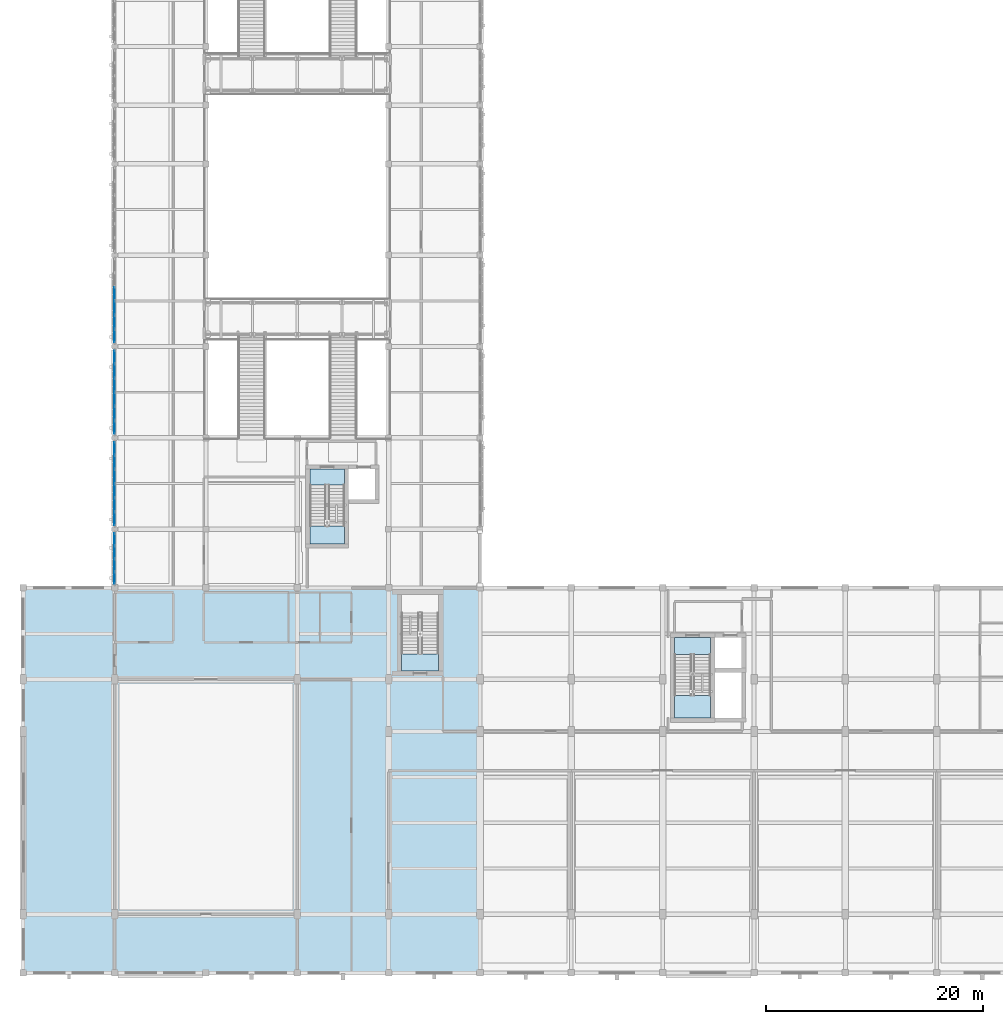
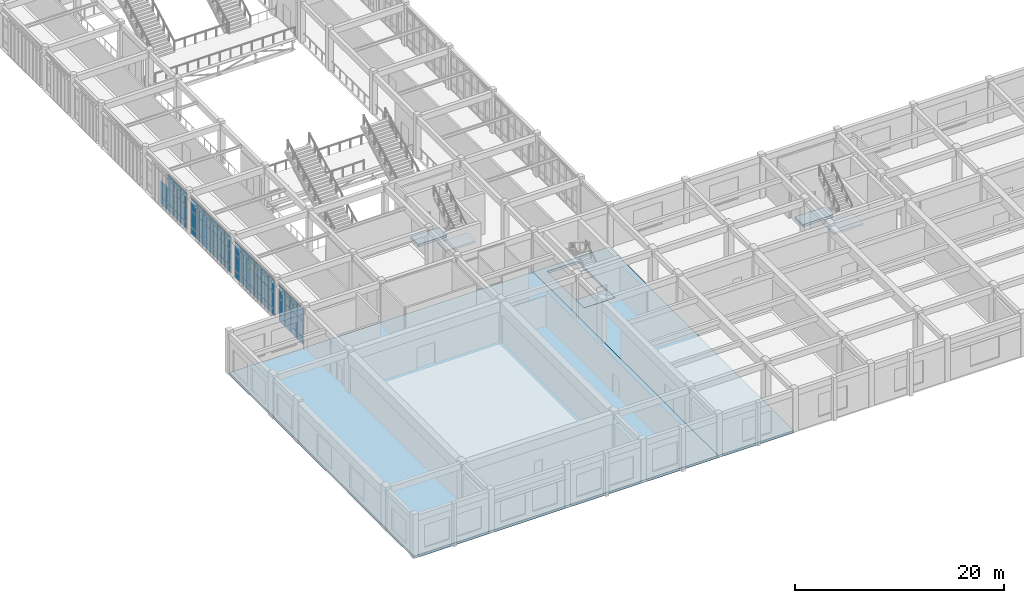
# One storey, part 55 of 93: 59 plates, 7 slabs, 6 elements without a shape of their own.
"""IFC4 building model written with IfcOpenShell, lengths in metres."""

from ifc_helpers import new_model, si_unit, direction, frame, origin, origin_2d, place, context, subcontext, project, spatial, polyline, rectangle, outline, extrude, material, layer, layer_set, type_object, element, aggregate, save


model = new_model("IFC4")

# Units and contexts
model_context = context("Model", 3, precision=1e-05, world=origin(), true_north=direction((0.0, 1.0)))
body_context = subcontext(model_context, "Body", "Model", "MODEL_VIEW")
ifc_project = project(units=[si_unit("LENGTHUNIT", "METRE"), si_unit("AREAUNIT", "SQUARE_METRE"), si_unit("VOLUMEUNIT", "CUBIC_METRE"), si_unit("PLANEANGLEUNIT", "RADIAN"), si_unit("MASSUNIT", "GRAM", prefix="KILO")], contexts=[model_context])

# Site, building, storey
site_placement = place(None, origin())
site = spatial("IfcSite", under=ifc_project, at=site_placement, CompositionType="ELEMENT")
building_placement = place(site_placement, origin())
building = spatial("IfcBuilding", under=site, at=building_placement, Name="Krzemoval Escarpment Law Courts", CompositionType="ELEMENT")
storey_placement = place(building_placement, frame((0.0, 0.0, 10.199951171875)))
storey = spatial("IfcBuildingStorey", under=building, at=storey_placement, Name="L02", CompositionType="ELEMENT", Elevation=10.199951171875)

# Curtain wall, plates
ifc_material_1 = material(Name="Aluminium 6063-T6", Category="aluminium")
ifc_layer_1 = layer(ifc_material_1, 0.280029296875)
ifc_layer_set_1 = layer_set([ifc_layer_1], Name="Aluminium 6063-T6")
curtain_wall_type = type_object("IfcCurtainWallType", Name="CW-HALL-5100", PredefinedType="USERDEFINED", material=ifc_layer_set_1)
curtain_wall_1_placement = place(storey_placement, origin())
curtain_wall_1 = element("IfcCurtainWall", 1, at=curtain_wall_1_placement, inside=storey, type_object=curtain_wall_type, Name="Unitised Curtain Wall FCW-L02-064", ObjectType="UNITISED_CURTAIN_WALL", PredefinedType="USERDEFINED")
ifc_material_2 = material(Name="Triple Glazing IGU", Category="glass")
ifc_layer_2 = layer(ifc_material_2, 0.053955078125)
ifc_layer_set_2 = layer_set([ifc_layer_2], Name="Triple Glazing IGU")
plate_type = type_object("IfcPlateType", Name="CWP-GLZ-54", PredefinedType="CURTAIN_PANEL", material=ifc_layer_set_2)
plate_1_placement = place(storey_placement, frame((8.39990234375, 36.3212890625, 0.0849609375), z_axis=(0.0, 0.0, 1.0), x_axis=(0.0, 1.0, 0.0)))
plate_1 = element("IfcPlate", 2, at=plate_1_placement, type_object=plate_type, Name="FCW-L02-064 panel 1.1", PredefinedType="CURTAIN_PANEL", context=body_context, shape_type="SweptSolid", body=[
    extrude(rectangle(XDim=1.072509765625, YDim=0.053955078125, at=origin_2d()), origin(), (0.0, 0.0, 1.0), 0.7724609375),
])
plate_2_placement = place(storey_placement, frame((8.39990234375, 36.3212890625, 0.942626953125), z_axis=(0.0, 0.0, 1.0), x_axis=(0.0, 1.0, 0.0)))
plate_2 = element("IfcPlate", 3, at=plate_2_placement, type_object=plate_type, Name="FCW-L02-064 panel 1.2", PredefinedType="CURTAIN_PANEL", context=body_context, shape_type="SweptSolid", body=[
    extrude(rectangle(XDim=1.072509765625, YDim=0.053955078125, at=origin_2d()), origin(), (0.0, 0.0, 1.0), 1.81494140625),
])
plate_3_placement = place(storey_placement, frame((8.39990234375, 36.3212890625, 2.842529296875), z_axis=(0.0, 0.0, 1.0), x_axis=(0.0, 1.0, 0.0)))
plate_3 = element("IfcPlate", 4, at=plate_3_placement, type_object=plate_type, Name="FCW-L02-064 panel 1.3", PredefinedType="CURTAIN_PANEL", context=body_context, shape_type="SweptSolid", body=[
    extrude(rectangle(XDim=1.072509765625, YDim=0.053955078125, at=origin_2d()), origin(), (0.0, 0.0, 1.0), 1.4423828125),
])
plate_4_placement = place(storey_placement, frame((8.39990234375, 37.5, 0.0849609375), z_axis=(0.0, 0.0, 1.0), x_axis=(0.0, 1.0, 0.0)))
plate_4 = element("IfcPlate", 5, at=plate_4_placement, type_object=plate_type, Name="FCW-L02-064 panel 2.1", PredefinedType="CURTAIN_PANEL", context=body_context, shape_type="SweptSolid", body=[
    extrude(rectangle(XDim=1.114990234375, YDim=0.053955078125, at=origin_2d()), origin(), (0.0, 0.0, 1.0), 0.7724609375),
])
plate_5_placement = place(storey_placement, frame((8.39990234375, 37.5, 0.942626953125), z_axis=(0.0, 0.0, 1.0), x_axis=(0.0, 1.0, 0.0)))
plate_5 = element("IfcPlate", 6, at=plate_5_placement, type_object=plate_type, Name="FCW-L02-064 panel 2.2", PredefinedType="CURTAIN_PANEL", context=body_context, shape_type="SweptSolid", body=[
    extrude(rectangle(XDim=1.114990234375, YDim=0.053955078125, at=origin_2d()), origin(), (0.0, 0.0, 1.0), 1.81494140625),
])
plate_6_placement = place(storey_placement, frame((8.39990234375, 37.5, 2.842529296875), z_axis=(0.0, 0.0, 1.0), x_axis=(0.0, 1.0, 0.0)))
plate_6 = element("IfcPlate", 7, at=plate_6_placement, type_object=plate_type, Name="FCW-L02-064 panel 2.3", PredefinedType="CURTAIN_PANEL", context=body_context, shape_type="SweptSolid", body=[
    extrude(rectangle(XDim=1.114990234375, YDim=0.053955078125, at=origin_2d()), origin(), (0.0, 0.0, 1.0), 1.4423828125),
])
plate_7_placement = place(storey_placement, frame((8.39990234375, 38.699951171875, 0.0849609375), z_axis=(0.0, 0.0, 1.0), x_axis=(0.0, 1.0, 0.0)))
plate_7 = element("IfcPlate", 8, at=plate_7_placement, type_object=plate_type, Name="FCW-L02-064 panel 3.1", PredefinedType="CURTAIN_PANEL", context=body_context, shape_type="SweptSolid", body=[
    extrude(rectangle(XDim=1.114990234375, YDim=0.053955078125, at=origin_2d()), origin(), (0.0, 0.0, 1.0), 0.7724609375),
])
plate_8_placement = place(storey_placement, frame((8.39990234375, 38.699951171875, 0.942626953125), z_axis=(0.0, 0.0, 1.0), x_axis=(0.0, 1.0, 0.0)))
plate_8 = element("IfcPlate", 9, at=plate_8_placement, type_object=plate_type, Name="FCW-L02-064 panel 3.2", PredefinedType="CURTAIN_PANEL", context=body_context, shape_type="SweptSolid", body=[
    extrude(rectangle(XDim=1.114990234375, YDim=0.053955078125, at=origin_2d()), origin(), (0.0, 0.0, 1.0), 1.81494140625),
])
plate_9_placement = place(storey_placement, frame((8.39990234375, 38.699951171875, 2.842529296875), z_axis=(0.0, 0.0, 1.0), x_axis=(0.0, 1.0, 0.0)))
plate_9 = element("IfcPlate", 10, at=plate_9_placement, type_object=plate_type, Name="FCW-L02-064 panel 3.3", PredefinedType="CURTAIN_PANEL", context=body_context, shape_type="SweptSolid", body=[
    extrude(rectangle(XDim=1.114990234375, YDim=0.053955078125, at=origin_2d()), origin(), (0.0, 0.0, 1.0), 1.4423828125),
])
plate_10_placement = place(storey_placement, frame((8.39990234375, 39.878662109375, 0.0849609375), z_axis=(0.0, 0.0, 1.0), x_axis=(0.0, 1.0, 0.0)))
plate_10 = element("IfcPlate", 11, at=plate_10_placement, type_object=plate_type, Name="FCW-L02-064 panel 4.1", PredefinedType="CURTAIN_PANEL", context=body_context, shape_type="SweptSolid", body=[
    extrude(rectangle(XDim=1.072509765625, YDim=0.053955078125, at=origin_2d()), origin(), (0.0, 0.0, 1.0), 0.7724609375),
])
plate_11_placement = place(storey_placement, frame((8.39990234375, 39.878662109375, 0.942626953125), z_axis=(0.0, 0.0, 1.0), x_axis=(0.0, 1.0, 0.0)))
plate_11 = element("IfcPlate", 12, at=plate_11_placement, type_object=plate_type, Name="FCW-L02-064 panel 4.2", PredefinedType="CURTAIN_PANEL", context=body_context, shape_type="SweptSolid", body=[
    extrude(rectangle(XDim=1.072509765625, YDim=0.053955078125, at=origin_2d()), origin(), (0.0, 0.0, 1.0), 1.81494140625),
])
plate_12_placement = place(storey_placement, frame((8.39990234375, 39.878662109375, 2.842529296875), z_axis=(0.0, 0.0, 1.0), x_axis=(0.0, 1.0, 0.0)))
plate_12 = element("IfcPlate", 13, at=plate_12_placement, type_object=plate_type, Name="FCW-L02-064 panel 4.3", PredefinedType="CURTAIN_PANEL", context=body_context, shape_type="SweptSolid", body=[
    extrude(rectangle(XDim=1.072509765625, YDim=0.053955078125, at=origin_2d()), origin(), (0.0, 0.0, 1.0), 1.4423828125),
])
aggregate(curtain_wall_1, [plate_1, plate_2, plate_3, plate_4, plate_5, plate_6, plate_7, plate_8, plate_9, plate_10, plate_11, plate_12])

curtain_wall_2_placement = place(storey_placement, origin())
curtain_wall_2 = element("IfcCurtainWall", 14, at=curtain_wall_2_placement, inside=storey, type_object=curtain_wall_type, Name="Unitised Curtain Wall FCW-L02-065", ObjectType="UNITISED_CURTAIN_WALL", PredefinedType="USERDEFINED")
plate_13_placement = place(storey_placement, frame((8.39990234375, 41.771240234375, 0.0849609375), z_axis=(0.0, 0.0, 1.0), x_axis=(0.0, 1.0, 0.0)))
plate_13 = element("IfcPlate", 15, at=plate_13_placement, type_object=plate_type, Name="FCW-L02-065 panel 1.1", PredefinedType="CURTAIN_PANEL", context=body_context, shape_type="SweptSolid", body=[
    extrude(rectangle(XDim=1.172607421875, YDim=0.053955078125, at=origin_2d()), origin(), (0.0, 0.0, 1.0), 0.7724609375),
])
plate_14_placement = place(storey_placement, frame((8.39990234375, 41.771240234375, 0.942626953125), z_axis=(0.0, 0.0, 1.0), x_axis=(0.0, 1.0, 0.0)))
plate_14 = element("IfcPlate", 16, at=plate_14_placement, type_object=plate_type, Name="FCW-L02-065 panel 1.2", PredefinedType="CURTAIN_PANEL", context=body_context, shape_type="SweptSolid", body=[
    extrude(rectangle(XDim=1.172607421875, YDim=0.053955078125, at=origin_2d()), origin(), (0.0, 0.0, 1.0), 1.81494140625),
])
plate_15_placement = place(storey_placement, frame((8.39990234375, 41.771240234375, 2.842529296875), z_axis=(0.0, 0.0, 1.0), x_axis=(0.0, 1.0, 0.0)))
plate_15 = element("IfcPlate", 17, at=plate_15_placement, type_object=plate_type, Name="FCW-L02-065 panel 1.3", PredefinedType="CURTAIN_PANEL", context=body_context, shape_type="SweptSolid", body=[
    extrude(rectangle(XDim=1.172607421875, YDim=0.053955078125, at=origin_2d()), origin(), (0.0, 0.0, 1.0), 1.4423828125),
])
plate_16_placement = place(storey_placement, frame((8.39990234375, 43.050048828125, 0.0849609375), z_axis=(0.0, 0.0, 1.0), x_axis=(0.0, 1.0, 0.0)))
plate_16 = element("IfcPlate", 18, at=plate_16_placement, type_object=plate_type, Name="FCW-L02-065 panel 2.1", PredefinedType="CURTAIN_PANEL", context=body_context, shape_type="SweptSolid", body=[
    extrude(rectangle(XDim=1.215087890625, YDim=0.053955078125, at=origin_2d()), origin(), (0.0, 0.0, 1.0), 0.7724609375),
])
plate_17_placement = place(storey_placement, frame((8.39990234375, 43.050048828125, 0.942626953125), z_axis=(0.0, 0.0, 1.0), x_axis=(0.0, 1.0, 0.0)))
plate_17 = element("IfcPlate", 19, at=plate_17_placement, type_object=plate_type, Name="FCW-L02-065 panel 2.2", PredefinedType="CURTAIN_PANEL", context=body_context, shape_type="SweptSolid", body=[
    extrude(rectangle(XDim=1.215087890625, YDim=0.053955078125, at=origin_2d()), origin(), (0.0, 0.0, 1.0), 1.81494140625),
])
plate_18_placement = place(storey_placement, frame((8.39990234375, 43.050048828125, 2.842529296875), z_axis=(0.0, 0.0, 1.0), x_axis=(0.0, 1.0, 0.0)))
plate_18 = element("IfcPlate", 20, at=plate_18_placement, type_object=plate_type, Name="FCW-L02-065 panel 2.3", PredefinedType="CURTAIN_PANEL", context=body_context, shape_type="SweptSolid", body=[
    extrude(rectangle(XDim=1.215087890625, YDim=0.053955078125, at=origin_2d()), origin(), (0.0, 0.0, 1.0), 1.4423828125),
])
plate_19_placement = place(storey_placement, frame((8.39990234375, 44.35009765625, 0.0849609375), z_axis=(0.0, 0.0, 1.0), x_axis=(0.0, 1.0, 0.0)))
plate_19 = element("IfcPlate", 21, at=plate_19_placement, type_object=plate_type, Name="FCW-L02-065 panel 3.1", PredefinedType="CURTAIN_PANEL", context=body_context, shape_type="SweptSolid", body=[
    extrude(rectangle(XDim=1.215087890625, YDim=0.053955078125, at=origin_2d()), origin(), (0.0, 0.0, 1.0), 0.7724609375),
])
plate_20_placement = place(storey_placement, frame((8.39990234375, 44.35009765625, 0.942626953125), z_axis=(0.0, 0.0, 1.0), x_axis=(0.0, 1.0, 0.0)))
plate_20 = element("IfcPlate", 22, at=plate_20_placement, type_object=plate_type, Name="FCW-L02-065 panel 3.2", PredefinedType="CURTAIN_PANEL", context=body_context, shape_type="SweptSolid", body=[
    extrude(rectangle(XDim=1.215087890625, YDim=0.053955078125, at=origin_2d()), origin(), (0.0, 0.0, 1.0), 1.81494140625),
])
plate_21_placement = place(storey_placement, frame((8.39990234375, 44.35009765625, 2.842529296875), z_axis=(0.0, 0.0, 1.0), x_axis=(0.0, 1.0, 0.0)))
plate_21 = element("IfcPlate", 23, at=plate_21_placement, type_object=plate_type, Name="FCW-L02-065 panel 3.3", PredefinedType="CURTAIN_PANEL", context=body_context, shape_type="SweptSolid", body=[
    extrude(rectangle(XDim=1.215087890625, YDim=0.053955078125, at=origin_2d()), origin(), (0.0, 0.0, 1.0), 1.4423828125),
])
plate_22_placement = place(storey_placement, frame((8.39990234375, 45.64990234375, 0.0849609375), z_axis=(0.0, 0.0, 1.0), x_axis=(0.0, 1.0, 0.0)))
plate_22 = element("IfcPlate", 24, at=plate_22_placement, type_object=plate_type, Name="FCW-L02-065 panel 4.1", PredefinedType="CURTAIN_PANEL", context=body_context, shape_type="SweptSolid", body=[
    extrude(rectangle(XDim=1.215087890625, YDim=0.053955078125, at=origin_2d()), origin(), (0.0, 0.0, 1.0), 0.7724609375),
])
plate_23_placement = place(storey_placement, frame((8.39990234375, 45.64990234375, 0.942626953125), z_axis=(0.0, 0.0, 1.0), x_axis=(0.0, 1.0, 0.0)))
plate_23 = element("IfcPlate", 25, at=plate_23_placement, type_object=plate_type, Name="FCW-L02-065 panel 4.2", PredefinedType="CURTAIN_PANEL", context=body_context, shape_type="SweptSolid", body=[
    extrude(rectangle(XDim=1.215087890625, YDim=0.053955078125, at=origin_2d()), origin(), (0.0, 0.0, 1.0), 1.81494140625),
])
plate_24_placement = place(storey_placement, frame((8.39990234375, 45.64990234375, 2.842529296875), z_axis=(0.0, 0.0, 1.0), x_axis=(0.0, 1.0, 0.0)))
plate_24 = element("IfcPlate", 26, at=plate_24_placement, type_object=plate_type, Name="FCW-L02-065 panel 4.3", PredefinedType="CURTAIN_PANEL", context=body_context, shape_type="SweptSolid", body=[
    extrude(rectangle(XDim=1.215087890625, YDim=0.053955078125, at=origin_2d()), origin(), (0.0, 0.0, 1.0), 1.4423828125),
])
plate_25_placement = place(storey_placement, frame((8.39990234375, 46.949951171875, 0.0849609375), z_axis=(0.0, 0.0, 1.0), x_axis=(0.0, 1.0, 0.0)))
plate_25 = element("IfcPlate", 27, at=plate_25_placement, type_object=plate_type, Name="FCW-L02-065 panel 5.1", PredefinedType="CURTAIN_PANEL", context=body_context, shape_type="SweptSolid", body=[
    extrude(rectangle(XDim=1.215087890625, YDim=0.053955078125, at=origin_2d()), origin(), (0.0, 0.0, 1.0), 0.7724609375),
])
plate_26_placement = place(storey_placement, frame((8.39990234375, 46.949951171875, 0.942626953125), z_axis=(0.0, 0.0, 1.0), x_axis=(0.0, 1.0, 0.0)))
plate_26 = element("IfcPlate", 28, at=plate_26_placement, type_object=plate_type, Name="FCW-L02-065 panel 5.2", PredefinedType="CURTAIN_PANEL", context=body_context, shape_type="SweptSolid", body=[
    extrude(rectangle(XDim=1.215087890625, YDim=0.053955078125, at=origin_2d()), origin(), (0.0, 0.0, 1.0), 1.81494140625),
])
plate_27_placement = place(storey_placement, frame((8.39990234375, 46.949951171875, 2.842529296875), z_axis=(0.0, 0.0, 1.0), x_axis=(0.0, 1.0, 0.0)))
plate_27 = element("IfcPlate", 29, at=plate_27_placement, type_object=plate_type, Name="FCW-L02-065 panel 5.3", PredefinedType="CURTAIN_PANEL", context=body_context, shape_type="SweptSolid", body=[
    extrude(rectangle(XDim=1.215087890625, YDim=0.053955078125, at=origin_2d()), origin(), (0.0, 0.0, 1.0), 1.4423828125),
])
plate_28_placement = place(storey_placement, frame((8.39990234375, 48.228759765625, 0.0849609375), z_axis=(0.0, 0.0, 1.0), x_axis=(0.0, 1.0, 0.0)))
plate_28 = element("IfcPlate", 30, at=plate_28_placement, type_object=plate_type, Name="FCW-L02-065 panel 6.1", PredefinedType="CURTAIN_PANEL", context=body_context, shape_type="SweptSolid", body=[
    extrude(rectangle(XDim=1.172607421875, YDim=0.053955078125, at=origin_2d()), origin(), (0.0, 0.0, 1.0), 0.7724609375),
])
plate_29_placement = place(storey_placement, frame((8.39990234375, 48.228759765625, 0.942626953125), z_axis=(0.0, 0.0, 1.0), x_axis=(0.0, 1.0, 0.0)))
plate_29 = element("IfcPlate", 31, at=plate_29_placement, type_object=plate_type, Name="FCW-L02-065 panel 6.2", PredefinedType="CURTAIN_PANEL", context=body_context, shape_type="SweptSolid", body=[
    extrude(rectangle(XDim=1.172607421875, YDim=0.053955078125, at=origin_2d()), origin(), (0.0, 0.0, 1.0), 1.81494140625),
])
plate_30_placement = place(storey_placement, frame((8.39990234375, 48.228759765625, 2.842529296875), z_axis=(0.0, 0.0, 1.0), x_axis=(0.0, 1.0, 0.0)))
plate_30 = element("IfcPlate", 32, at=plate_30_placement, type_object=plate_type, Name="FCW-L02-065 panel 6.3", PredefinedType="CURTAIN_PANEL", context=body_context, shape_type="SweptSolid", body=[
    extrude(rectangle(XDim=1.172607421875, YDim=0.053955078125, at=origin_2d()), origin(), (0.0, 0.0, 1.0), 1.4423828125),
])
aggregate(curtain_wall_2, [plate_13, plate_14, plate_15, plate_16, plate_17, plate_18, plate_19, plate_20, plate_21, plate_22, plate_23, plate_24, plate_25, plate_26, plate_27, plate_28, plate_29, plate_30])

curtain_wall_3_placement = place(storey_placement, origin())
curtain_wall_3 = element("IfcCurtainWall", 33, at=curtain_wall_3_placement, inside=storey, type_object=curtain_wall_type, Name="Unitised Curtain Wall FCW-L02-066", ObjectType="UNITISED_CURTAIN_WALL", PredefinedType="USERDEFINED")
plate_31_placement = place(storey_placement, frame((8.39990234375, 50.171142578125, 0.0849609375), z_axis=(0.0, 0.0, 1.0), x_axis=(0.0, 1.0, 0.0)))
plate_31 = element("IfcPlate", 34, at=plate_31_placement, type_object=plate_type, Name="FCW-L02-066 panel 1.1", PredefinedType="CURTAIN_PANEL", context=body_context, shape_type="SweptSolid", body=[
    extrude(rectangle(XDim=1.172607421875, YDim=0.053955078125, at=origin_2d()), origin(), (0.0, 0.0, 1.0), 0.7724609375),
])
plate_32_placement = place(storey_placement, frame((8.39990234375, 50.171142578125, 0.942626953125), z_axis=(0.0, 0.0, 1.0), x_axis=(0.0, 1.0, 0.0)))
plate_32 = element("IfcPlate", 35, at=plate_32_placement, type_object=plate_type, Name="FCW-L02-066 panel 1.2", PredefinedType="CURTAIN_PANEL", context=body_context, shape_type="SweptSolid", body=[
    extrude(rectangle(XDim=1.172607421875, YDim=0.053955078125, at=origin_2d()), origin(), (0.0, 0.0, 1.0), 1.81494140625),
])
plate_33_placement = place(storey_placement, frame((8.39990234375, 50.171142578125, 2.842529296875), z_axis=(0.0, 0.0, 1.0), x_axis=(0.0, 1.0, 0.0)))
plate_33 = element("IfcPlate", 36, at=plate_33_placement, type_object=plate_type, Name="FCW-L02-066 panel 1.3", PredefinedType="CURTAIN_PANEL", context=body_context, shape_type="SweptSolid", body=[
    extrude(rectangle(XDim=1.172607421875, YDim=0.053955078125, at=origin_2d()), origin(), (0.0, 0.0, 1.0), 1.4423828125),
])
plate_34_placement = place(storey_placement, frame((8.39990234375, 51.449951171875, 0.0849609375), z_axis=(0.0, 0.0, 1.0), x_axis=(0.0, 1.0, 0.0)))
plate_34 = element("IfcPlate", 37, at=plate_34_placement, type_object=plate_type, Name="FCW-L02-066 panel 2.1", PredefinedType="CURTAIN_PANEL", context=body_context, shape_type="SweptSolid", body=[
    extrude(rectangle(XDim=1.215087890625, YDim=0.053955078125, at=origin_2d()), origin(), (0.0, 0.0, 1.0), 0.7724609375),
])
plate_35_placement = place(storey_placement, frame((8.39990234375, 51.449951171875, 0.942626953125), z_axis=(0.0, 0.0, 1.0), x_axis=(0.0, 1.0, 0.0)))
plate_35 = element("IfcPlate", 38, at=plate_35_placement, type_object=plate_type, Name="FCW-L02-066 panel 2.2", PredefinedType="CURTAIN_PANEL", context=body_context, shape_type="SweptSolid", body=[
    extrude(rectangle(XDim=1.215087890625, YDim=0.053955078125, at=origin_2d()), origin(), (0.0, 0.0, 1.0), 1.81494140625),
])
plate_36_placement = place(storey_placement, frame((8.39990234375, 51.449951171875, 2.842529296875), z_axis=(0.0, 0.0, 1.0), x_axis=(0.0, 1.0, 0.0)))
plate_36 = element("IfcPlate", 39, at=plate_36_placement, type_object=plate_type, Name="FCW-L02-066 panel 2.3", PredefinedType="CURTAIN_PANEL", context=body_context, shape_type="SweptSolid", body=[
    extrude(rectangle(XDim=1.215087890625, YDim=0.053955078125, at=origin_2d()), origin(), (0.0, 0.0, 1.0), 1.4423828125),
])
plate_37_placement = place(storey_placement, frame((8.39990234375, 52.75, 0.0849609375), z_axis=(0.0, 0.0, 1.0), x_axis=(0.0, 1.0, 0.0)))
plate_37 = element("IfcPlate", 40, at=plate_37_placement, type_object=plate_type, Name="FCW-L02-066 panel 3.1", PredefinedType="CURTAIN_PANEL", context=body_context, shape_type="SweptSolid", body=[
    extrude(rectangle(XDim=1.215087890625, YDim=0.053955078125, at=origin_2d()), origin(), (0.0, 0.0, 1.0), 0.7724609375),
])
plate_38_placement = place(storey_placement, frame((8.39990234375, 52.75, 0.942626953125), z_axis=(0.0, 0.0, 1.0), x_axis=(0.0, 1.0, 0.0)))
plate_38 = element("IfcPlate", 41, at=plate_38_placement, type_object=plate_type, Name="FCW-L02-066 panel 3.2", PredefinedType="CURTAIN_PANEL", context=body_context, shape_type="SweptSolid", body=[
    extrude(rectangle(XDim=1.215087890625, YDim=0.053955078125, at=origin_2d()), origin(), (0.0, 0.0, 1.0), 1.81494140625),
])
plate_39_placement = place(storey_placement, frame((8.39990234375, 52.75, 2.842529296875), z_axis=(0.0, 0.0, 1.0), x_axis=(0.0, 1.0, 0.0)))
plate_39 = element("IfcPlate", 42, at=plate_39_placement, type_object=plate_type, Name="FCW-L02-066 panel 3.3", PredefinedType="CURTAIN_PANEL", context=body_context, shape_type="SweptSolid", body=[
    extrude(rectangle(XDim=1.215087890625, YDim=0.053955078125, at=origin_2d()), origin(), (0.0, 0.0, 1.0), 1.4423828125),
])
plate_40_placement = place(storey_placement, frame((8.39990234375, 54.050048828125, 0.0849609375), z_axis=(0.0, 0.0, 1.0), x_axis=(0.0, 1.0, 0.0)))
plate_40 = element("IfcPlate", 43, at=plate_40_placement, type_object=plate_type, Name="FCW-L02-066 panel 4.1", PredefinedType="CURTAIN_PANEL", context=body_context, shape_type="SweptSolid", body=[
    extrude(rectangle(XDim=1.215087890625, YDim=0.053955078125, at=origin_2d()), origin(), (0.0, 0.0, 1.0), 0.7724609375),
])
plate_41_placement = place(storey_placement, frame((8.39990234375, 54.050048828125, 0.942626953125), z_axis=(0.0, 0.0, 1.0), x_axis=(0.0, 1.0, 0.0)))
plate_41 = element("IfcPlate", 44, at=plate_41_placement, type_object=plate_type, Name="FCW-L02-066 panel 4.2", PredefinedType="CURTAIN_PANEL", context=body_context, shape_type="SweptSolid", body=[
    extrude(rectangle(XDim=1.215087890625, YDim=0.053955078125, at=origin_2d()), origin(), (0.0, 0.0, 1.0), 1.81494140625),
])
plate_42_placement = place(storey_placement, frame((8.39990234375, 54.050048828125, 2.842529296875), z_axis=(0.0, 0.0, 1.0), x_axis=(0.0, 1.0, 0.0)))
plate_42 = element("IfcPlate", 45, at=plate_42_placement, type_object=plate_type, Name="FCW-L02-066 panel 4.3", PredefinedType="CURTAIN_PANEL", context=body_context, shape_type="SweptSolid", body=[
    extrude(rectangle(XDim=1.215087890625, YDim=0.053955078125, at=origin_2d()), origin(), (0.0, 0.0, 1.0), 1.4423828125),
])
plate_43_placement = place(storey_placement, frame((8.39990234375, 55.35009765625, 0.0849609375), z_axis=(0.0, 0.0, 1.0), x_axis=(0.0, 1.0, 0.0)))
plate_43 = element("IfcPlate", 46, at=plate_43_placement, type_object=plate_type, Name="FCW-L02-066 panel 5.1", PredefinedType="CURTAIN_PANEL", context=body_context, shape_type="SweptSolid", body=[
    extrude(rectangle(XDim=1.215087890625, YDim=0.053955078125, at=origin_2d()), origin(), (0.0, 0.0, 1.0), 0.7724609375),
])
plate_44_placement = place(storey_placement, frame((8.39990234375, 55.35009765625, 0.942626953125), z_axis=(0.0, 0.0, 1.0), x_axis=(0.0, 1.0, 0.0)))
plate_44 = element("IfcPlate", 47, at=plate_44_placement, type_object=plate_type, Name="FCW-L02-066 panel 5.2", PredefinedType="CURTAIN_PANEL", context=body_context, shape_type="SweptSolid", body=[
    extrude(rectangle(XDim=1.215087890625, YDim=0.053955078125, at=origin_2d()), origin(), (0.0, 0.0, 1.0), 1.81494140625),
])
plate_45_placement = place(storey_placement, frame((8.39990234375, 55.35009765625, 2.842529296875), z_axis=(0.0, 0.0, 1.0), x_axis=(0.0, 1.0, 0.0)))
plate_45 = element("IfcPlate", 48, at=plate_45_placement, type_object=plate_type, Name="FCW-L02-066 panel 5.3", PredefinedType="CURTAIN_PANEL", context=body_context, shape_type="SweptSolid", body=[
    extrude(rectangle(XDim=1.215087890625, YDim=0.053955078125, at=origin_2d()), origin(), (0.0, 0.0, 1.0), 1.4423828125),
])
plate_46_placement = place(storey_placement, frame((8.39990234375, 56.628662109375, 0.0849609375), z_axis=(0.0, 0.0, 1.0), x_axis=(0.0, 1.0, 0.0)))
plate_46 = element("IfcPlate", 49, at=plate_46_placement, type_object=plate_type, Name="FCW-L02-066 panel 6.1", PredefinedType="CURTAIN_PANEL", context=body_context, shape_type="SweptSolid", body=[
    extrude(rectangle(XDim=1.172607421875, YDim=0.053955078125, at=origin_2d()), origin(), (0.0, 0.0, 1.0), 0.7724609375),
])
plate_47_placement = place(storey_placement, frame((8.39990234375, 56.628662109375, 0.942626953125), z_axis=(0.0, 0.0, 1.0), x_axis=(0.0, 1.0, 0.0)))
plate_47 = element("IfcPlate", 50, at=plate_47_placement, type_object=plate_type, Name="FCW-L02-066 panel 6.2", PredefinedType="CURTAIN_PANEL", context=body_context, shape_type="SweptSolid", body=[
    extrude(rectangle(XDim=1.172607421875, YDim=0.053955078125, at=origin_2d()), origin(), (0.0, 0.0, 1.0), 1.81494140625),
])
plate_48_placement = place(storey_placement, frame((8.39990234375, 56.628662109375, 2.842529296875), z_axis=(0.0, 0.0, 1.0), x_axis=(0.0, 1.0, 0.0)))
plate_48 = element("IfcPlate", 51, at=plate_48_placement, type_object=plate_type, Name="FCW-L02-066 panel 6.3", PredefinedType="CURTAIN_PANEL", context=body_context, shape_type="SweptSolid", body=[
    extrude(rectangle(XDim=1.172607421875, YDim=0.053955078125, at=origin_2d()), origin(), (0.0, 0.0, 1.0), 1.4423828125),
])
aggregate(curtain_wall_3, [plate_31, plate_32, plate_33, plate_34, plate_35, plate_36, plate_37, plate_38, plate_39, plate_40, plate_41, plate_42, plate_43, plate_44, plate_45, plate_46, plate_47, plate_48])

curtain_wall_4_placement = place(storey_placement, origin())
curtain_wall_4 = element("IfcCurtainWall", 52, at=curtain_wall_4_placement, inside=storey, type_object=curtain_wall_type, Name="Unitised Curtain Wall FCW-L02-067", ObjectType="UNITISED_CURTAIN_WALL", PredefinedType="USERDEFINED")
plate_49_placement = place(storey_placement, frame((8.39990234375, 58.5712890625, 0.0849609375), z_axis=(0.0, 0.0, 1.0), x_axis=(0.0, 1.0, 0.0)))
plate_49 = element("IfcPlate", 53, at=plate_49_placement, type_object=plate_type, Name="FCW-L02-067 panel 1.1", PredefinedType="CURTAIN_PANEL", context=body_context, shape_type="SweptSolid", body=[
    extrude(rectangle(XDim=1.172607421875, YDim=0.053955078125, at=origin_2d()), origin(), (0.0, 0.0, 1.0), 0.7724609375),
])
plate_50_placement = place(storey_placement, frame((8.39990234375, 58.5712890625, 0.942626953125), z_axis=(0.0, 0.0, 1.0), x_axis=(0.0, 1.0, 0.0)))
plate_50 = element("IfcPlate", 54, at=plate_50_placement, type_object=plate_type, Name="FCW-L02-067 panel 1.2", PredefinedType="CURTAIN_PANEL", context=body_context, shape_type="SweptSolid", body=[
    extrude(rectangle(XDim=1.172607421875, YDim=0.053955078125, at=origin_2d()), origin(), (0.0, 0.0, 1.0), 1.81494140625),
])
plate_51_placement = place(storey_placement, frame((8.39990234375, 58.5712890625, 2.842529296875), z_axis=(0.0, 0.0, 1.0), x_axis=(0.0, 1.0, 0.0)))
plate_51 = element("IfcPlate", 55, at=plate_51_placement, type_object=plate_type, Name="FCW-L02-067 panel 1.3", PredefinedType="CURTAIN_PANEL", context=body_context, shape_type="SweptSolid", body=[
    extrude(rectangle(XDim=1.172607421875, YDim=0.053955078125, at=origin_2d()), origin(), (0.0, 0.0, 1.0), 1.4423828125),
])
plate_52_placement = place(storey_placement, frame((8.39990234375, 59.85009765625, 0.0849609375), z_axis=(0.0, 0.0, 1.0), x_axis=(0.0, 1.0, 0.0)))
plate_52 = element("IfcPlate", 56, at=plate_52_placement, type_object=plate_type, Name="FCW-L02-067 panel 2.1", PredefinedType="CURTAIN_PANEL", context=body_context, shape_type="SweptSolid", body=[
    extrude(rectangle(XDim=1.215087890625, YDim=0.053955078125, at=origin_2d()), origin(), (0.0, 0.0, 1.0), 0.7724609375),
])
plate_53_placement = place(storey_placement, frame((8.39990234375, 59.85009765625, 0.942626953125), z_axis=(0.0, 0.0, 1.0), x_axis=(0.0, 1.0, 0.0)))
plate_53 = element("IfcPlate", 57, at=plate_53_placement, type_object=plate_type, Name="FCW-L02-067 panel 2.2", PredefinedType="CURTAIN_PANEL", context=body_context, shape_type="SweptSolid", body=[
    extrude(rectangle(XDim=1.215087890625, YDim=0.053955078125, at=origin_2d()), origin(), (0.0, 0.0, 1.0), 1.81494140625),
])
plate_54_placement = place(storey_placement, frame((8.39990234375, 59.85009765625, 2.842529296875), z_axis=(0.0, 0.0, 1.0), x_axis=(0.0, 1.0, 0.0)))
plate_54 = element("IfcPlate", 58, at=plate_54_placement, type_object=plate_type, Name="FCW-L02-067 panel 2.3", PredefinedType="CURTAIN_PANEL", context=body_context, shape_type="SweptSolid", body=[
    extrude(rectangle(XDim=1.215087890625, YDim=0.053955078125, at=origin_2d()), origin(), (0.0, 0.0, 1.0), 1.4423828125),
])
plate_55_placement = place(storey_placement, frame((8.39990234375, 61.14990234375, 0.0849609375), z_axis=(0.0, 0.0, 1.0), x_axis=(0.0, 1.0, 0.0)))
plate_55 = element("IfcPlate", 59, at=plate_55_placement, type_object=plate_type, Name="FCW-L02-067 panel 3.1", PredefinedType="CURTAIN_PANEL", context=body_context, shape_type="SweptSolid", body=[
    extrude(rectangle(XDim=1.215087890625, YDim=0.053955078125, at=origin_2d()), origin(), (0.0, 0.0, 1.0), 0.7724609375),
])
plate_56_placement = place(storey_placement, frame((8.39990234375, 61.14990234375, 0.942626953125), z_axis=(0.0, 0.0, 1.0), x_axis=(0.0, 1.0, 0.0)))
plate_56 = element("IfcPlate", 60, at=plate_56_placement, type_object=plate_type, Name="FCW-L02-067 panel 3.2", PredefinedType="CURTAIN_PANEL", context=body_context, shape_type="SweptSolid", body=[
    extrude(rectangle(XDim=1.215087890625, YDim=0.053955078125, at=origin_2d()), origin(), (0.0, 0.0, 1.0), 1.81494140625),
])
plate_57_placement = place(storey_placement, frame((8.39990234375, 61.14990234375, 2.842529296875), z_axis=(0.0, 0.0, 1.0), x_axis=(0.0, 1.0, 0.0)))
plate_57 = element("IfcPlate", 61, at=plate_57_placement, type_object=plate_type, Name="FCW-L02-067 panel 3.3", PredefinedType="CURTAIN_PANEL", context=body_context, shape_type="SweptSolid", body=[
    extrude(rectangle(XDim=1.215087890625, YDim=0.053955078125, at=origin_2d()), origin(), (0.0, 0.0, 1.0), 1.4423828125),
])
plate_58_placement = place(storey_placement, frame((8.39990234375, 62.449951171875, 0.0849609375), z_axis=(0.0, 0.0, 1.0), x_axis=(0.0, 1.0, 0.0)))
plate_58 = element("IfcPlate", 62, at=plate_58_placement, type_object=plate_type, Name="FCW-L02-067 panel 4.1", PredefinedType="CURTAIN_PANEL", context=body_context, shape_type="SweptSolid", body=[
    extrude(rectangle(XDim=1.215087890625, YDim=0.053955078125, at=origin_2d()), origin(), (0.0, 0.0, 1.0), 0.7724609375),
])
plate_59_placement = place(storey_placement, frame((8.39990234375, 62.449951171875, 0.942626953125), z_axis=(0.0, 0.0, 1.0), x_axis=(0.0, 1.0, 0.0)))
plate_59 = element("IfcPlate", 63, at=plate_59_placement, type_object=plate_type, Name="FCW-L02-067 panel 4.2", PredefinedType="CURTAIN_PANEL", context=body_context, shape_type="SweptSolid", body=[
    extrude(rectangle(XDim=1.215087890625, YDim=0.053955078125, at=origin_2d()), origin(), (0.0, 0.0, 1.0), 1.81494140625),
])
aggregate(curtain_wall_4, [plate_49, plate_50, plate_51, plate_52, plate_53, plate_54, plate_55, plate_56, plate_57, plate_58, plate_59])

# Stair, slab
ifc_material_3 = material(Name="Concrete C40/50", Category="concrete")
stair_type_1 = type_object("IfcStairType", Name="STR-CORE-1550", PredefinedType="HALF_TURN_STAIR", material=ifc_material_3)
stair_1_placement = place(storey_placement, origin())
stair_1 = element("IfcStair", 64, at=stair_1_placement, inside=storey, type_object=stair_type_1, Name="L02 ST4", PredefinedType="HALF_TURN_STAIR")
ifc_material_4 = material(Name="Concrete C40/50", Category="concrete")
ifc_layer_3 = layer(ifc_material_4, 0.199951171875)
ifc_layer_set_3 = layer_set([ifc_layer_3], Name="Concrete C40/50")
slab_type_1 = type_object("IfcSlabType", Name="SL-LND-200", PredefinedType="LANDING", material=ifc_layer_set_3)
slab_1_placement = place(storey_placement, frame((0.0, 0.0, 2.35009765625)))
slab_1 = element("IfcSlab", 65, at=slab_1_placement, type_object=slab_type_1, Name="ST4 landing 1", PredefinedType="LANDING", context=body_context, shape_type="SweptSolid", body=[
    extrude(outline(polyline([(59.89990234375, 25.530029296875), (59.89990234375, 23.449951171875), (63.199951171875, 23.449951171875), (63.199951171875, 25.530029296875), (59.89990234375, 25.530029296875)])), origin(), (0.0, 0.0, 1.0), 0.199951171875),
])
aggregate(stair_1, [slab_1])

ifc_material_5 = material(Name="Concrete C40/50", Category="concrete")
stair_type_2 = type_object("IfcStairType", Name="STR-CORE-1500", PredefinedType="HALF_TURN_STAIR", material=ifc_material_5)
stair_2_placement = place(storey_placement, origin())
stair_2 = element("IfcStair", 66, at=stair_2_placement, inside=storey, type_object=stair_type_2, Name="L02 ST5", PredefinedType="HALF_TURN_STAIR")
slab_2_placement = place(storey_placement, frame((0.0, 0.0, 2.35009765625)))
slab_2 = element("IfcSlab", 67, at=slab_2_placement, type_object=slab_type_1, Name="ST5 landing 1", PredefinedType="LANDING", context=body_context, shape_type="SweptSolid", body=[
    extrude(outline(polyline([(26.35009765625, 41.080078125), (26.35009765625, 39.449951171875), (29.550048828125, 39.449951171875), (29.550048828125, 41.080078125), (26.35009765625, 41.080078125)])), origin(), (0.0, 0.0, 1.0), 0.199951171875),
])
aggregate(stair_2, [slab_2])

# Slabs
ifc_material_6 = material(Name="Concrete C50/60", Category="concrete")
ifc_layer_4 = layer(ifc_material_6, 0.280029296875)
ifc_layer_set_4 = layer_set([ifc_layer_4], Name="Concrete C50/60")
slab_type_2 = type_object("IfcSlabType", Name="SL-PT-280", PredefinedType="FLOOR", material=ifc_layer_set_4)
slab_3_placement = place(storey_placement, frame((0.0, 0.0, -0.280029296875)))
element("IfcSlab", 68, at=slab_3_placement, inside=storey, type_object=slab_type_2, Name="Floor Slab SL-L02-V1-028", PredefinedType="FLOOR", context=body_context, shape_type="SweptSolid", body=[
    extrude(outline(polyline([(0.0, 0.0), (0.0, 35.39990234375), (33.60009765625, 35.39990234375), (33.60009765625, 0.0), (0.0, 0.0)])), origin(), (0.0, 0.0, 1.0), 0.280029296875),
])
slab_4_placement = place(storey_placement, frame((0.0, 0.0, -0.280029296875)))
element("IfcSlab", 69, at=slab_4_placement, inside=storey, type_object=slab_type_2, Name="Floor Slab SL-L02-V2-029", PredefinedType="FLOOR", context=body_context, shape_type="SweptSolid", body=[
    extrude(outline(polyline([(33.60009765625, 0.0), (33.60009765625, 35.39990234375), (41.9599609375, 35.39990234375), (41.9599609375, 0.0), (33.60009765625, 0.0)]), holes=[polyline([(38.199951171875, 34.800048828125), (34.800048828125, 34.800048828125), (34.800048828125, 27.75), (38.199951171875, 27.75), (38.199951171875, 34.800048828125)])]), origin(), (0.0, 0.0, 1.0), 0.280029296875),
])
slab_5_placement = place(storey_placement, frame((0.0, 0.0, -0.280029296875)))
element("IfcSlab", 70, at=slab_5_placement, inside=storey, type_object=slab_type_2, Name="Core Floor Landing Slab SL-ST4-L02-FL", PredefinedType="FLOOR", context=body_context, shape_type="SweptSolid", body=[
    extrude(outline(polyline([(59.89990234375, 30.85009765625), (59.89990234375, 29.300048828125), (63.199951171875, 29.300048828125), (63.199951171875, 30.85009765625), (59.89990234375, 30.85009765625)])), origin(), (0.0, 0.0, 1.0), 0.280029296875),
])
slab_6_placement = place(storey_placement, frame((0.0, 0.0, -0.280029296875)))
element("IfcSlab", 71, at=slab_6_placement, inside=storey, type_object=slab_type_2, Name="Core Floor Landing Slab SL-ST5-L02-FL", PredefinedType="FLOOR", context=body_context, shape_type="SweptSolid", body=[
    extrude(outline(polyline([(26.35009765625, 46.35009765625), (26.35009765625, 44.85009765625), (29.550048828125, 44.85009765625), (29.550048828125, 46.35009765625), (26.35009765625, 46.35009765625)])), origin(), (0.0, 0.0, 1.0), 0.280029296875),
])
slab_7_placement = place(storey_placement, frame((0.0, 0.0, -0.280029296875)))
element("IfcSlab", 72, at=slab_7_placement, inside=storey, type_object=slab_type_2, Name="Core Floor Landing Slab SL-ST9-L02-FL", PredefinedType="FLOOR", context=body_context, shape_type="SweptSolid", body=[
    extrude(outline(polyline([(38.199951171875, 27.75), (38.199951171875, 29.35009765625), (34.800048828125, 29.35009765625), (34.800048828125, 27.75), (38.199951171875, 27.75)])), origin(), (0.0, 0.0, 1.0), 0.280029296875),
])

save(model, "model.ifc")
